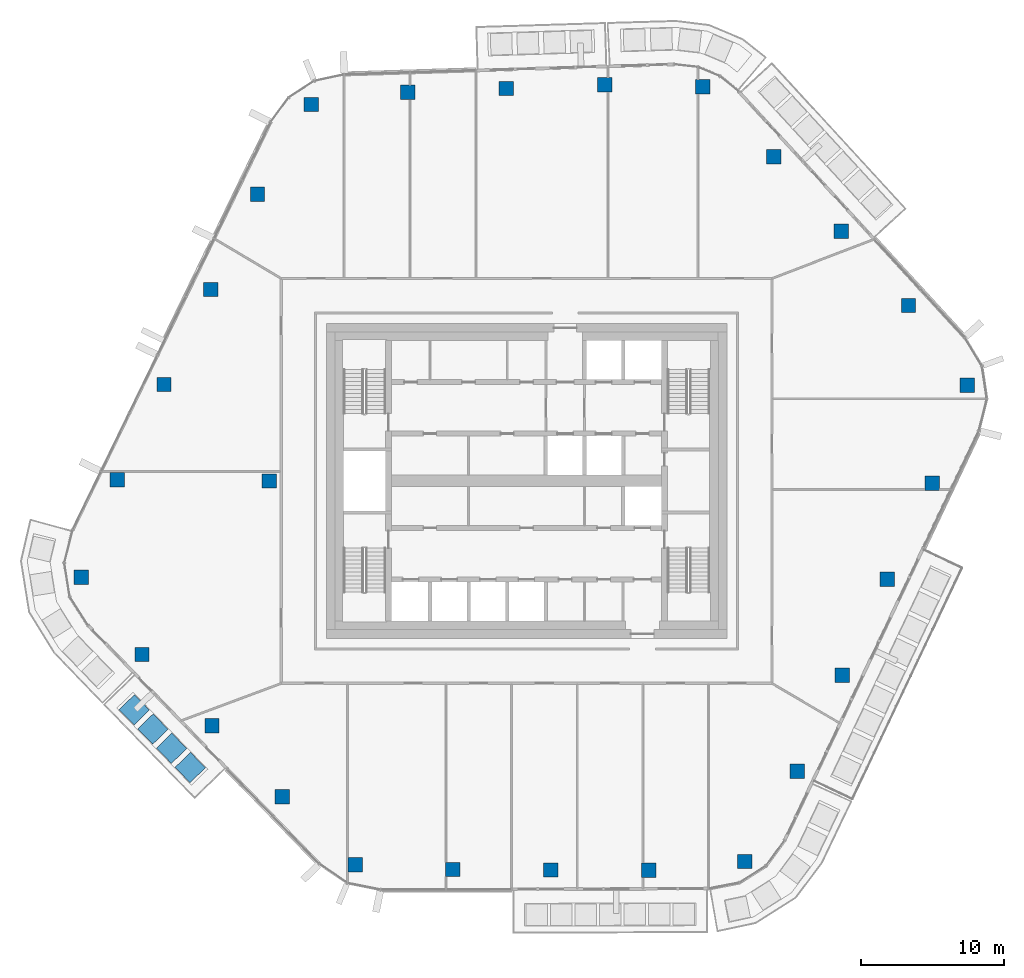
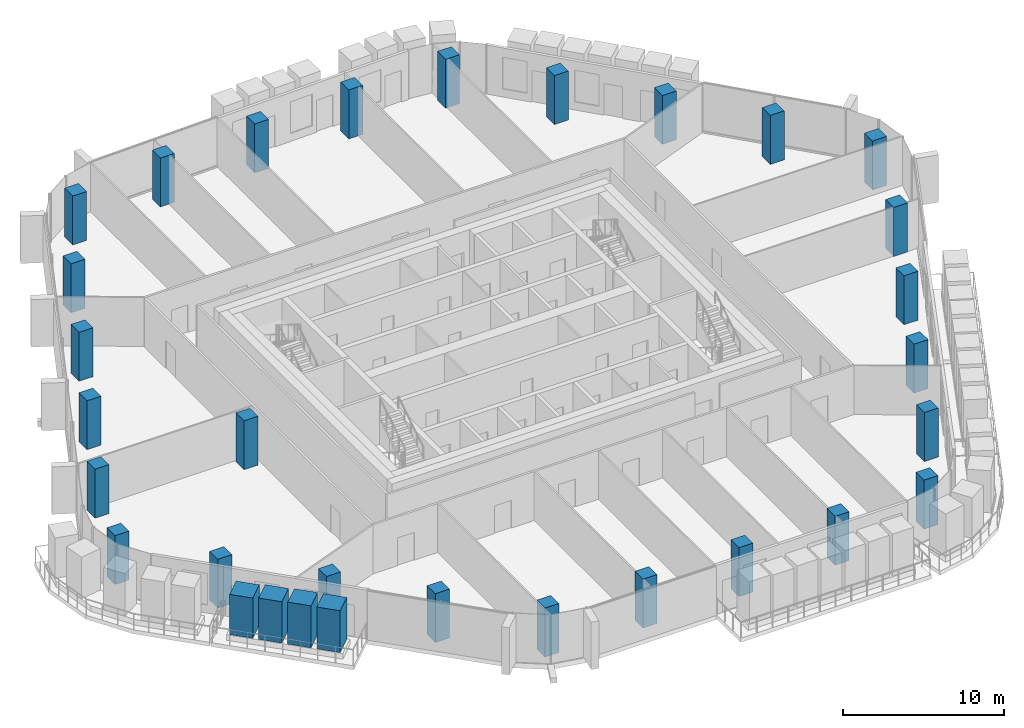
# One storey, part 1 of 24: 27 columns, 4 members.
"""IFC4 building model written with IfcOpenShell, lengths in metres."""

from ifc_helpers import new_model, si_unit, direction, frame, origin, origin_2d, place, context, subcontext, project, spatial, rectangle, extrude, material, material_profile, profile_set, type_object, element, save


model = new_model("IFC4")

# Units and contexts
model_context = context("Model", 3, precision=1e-05, world=origin(), true_north=direction((0.0, 1.0)))
body_context = subcontext(model_context, "Body", "Model", "MODEL_VIEW")
ifc_project = project(units=[si_unit("LENGTHUNIT", "METRE"), si_unit("AREAUNIT", "SQUARE_METRE"), si_unit("VOLUMEUNIT", "CUBIC_METRE"), si_unit("PLANEANGLEUNIT", "RADIAN"), si_unit("MASSUNIT", "GRAM", prefix="KILO")], contexts=[model_context])

# Site, building, storey
site_placement = place(None, origin())
site = spatial("IfcSite", under=ifc_project, at=site_placement, CompositionType="ELEMENT")
building_placement = place(site_placement, origin())
building = spatial("IfcBuilding", under=site, at=building_placement, Name="Dongbaek Canopy Tower", CompositionType="ELEMENT")
storey_placement = place(building_placement, frame((0.0, 0.0, 348.800048828125)))
storey = spatial("IfcBuildingStorey", under=building, at=storey_placement, Name="L75", CompositionType="ELEMENT", Elevation=348.800048828125)

# Columns
ifc_material_1 = material(Name="Concrete C60", Category="concrete")
ifc_material_profile_1 = material_profile(ifc_material_1, rectangle(XDim=1.0, YDim=1.0, at=origin_2d()), Name="RC COLUMN 1000x1000 C60")
ifc_profile_set_1 = profile_set([ifc_material_profile_1], Name="Concrete C60")
column_type = type_object("IfcColumnType", Name="RC COLUMN 1000x1000 C60", PredefinedType="COLUMN", material=ifc_profile_set_1)
for number, where, z_axis, x_axis, name in (
    (1, (15.251953125, -26.60693359375, 0.0), (0.0, 0.0, 1.0), (1.0, 0.0, 0.0), "COL:CZ5-01:L75"),
    (2, (8.533935546875, -27.22705078125, 0.0), (0.0, 0.0, 1.0), (1.0, 0.0, 0.0), "COL:CZ5-02:L75"),
    (3, (1.68310546875, -27.197021484375, 0.0), (0.0, 0.0, 1.0), (1.0, 0.0, 0.0), "COL:CZ5-03:L75"),
    (4, (-5.166015625, -27.1669921875, 0.0), (0.0, 0.0, 1.0), (1.0, 0.0, 0.0), "COL:CZ5-04:L75"),
    (5, (-11.985107421875, -26.8310546875, 0.0), (0.0, 0.0, 1.0), (1.0, 0.0, 0.0), "COL:CZ5-05:L75"),
    (6, (-17.083984375, -22.089111328125, 0.0), (0.0, 0.0, 1.0), (1.0, 0.0, 0.0), "COL:CZ5-06:L75"),
    (7, (-21.986083984375, -17.112060546875, 0.0), (0.0, 0.0, 1.0), (1.0, 0.0, 0.0), "COL:CZ5-07:L75"),
    (8, (-26.888916015625, -12.134033203125, 0.0), (0.0, 0.0, 1.0), (1.0, 0.0, 0.0), "COL:CZ5-08:L75"),
    (9, (-31.12890625, -6.7451171875, 0.0), (0.0, 0.0, 1.0), (1.0, 0.0, 0.0), "COL:CZ5-09:L75"),
    (10, (-28.616943359375, 0.0859375, 0.0), (0.0, 0.0, 1.0), (1.0, 0.0, 0.0), "COL:CZ5-10:L75"),
    (11, (-25.346923828125, 6.735107421875, 0.0), (0.0, 0.0, 1.0), (1.0, 0.0, 0.0), "COL:CZ5-11:L75"),
    (12, (-22.075927734375, 13.384033203125, 0.0), (0.0, 0.0, 1.0), (1.0, 0.0, 0.0), "COL:CZ5-12:L75"),
    (13, (-18.805908203125, 20.031982421875, 0.0), (0.0, 0.0, 1.0), (1.0, 0.0, 0.0), "COL:CZ5-13:L75"),
    (14, (-15.06201171875, 26.321044921875, 0.0), (0.0, 0.0, 1.0), (1.0, 0.0, 0.0), "COL:CZ5-14:L75"),
    (15, (-8.30908203125, 27.1640625, 0.0), (0.0, 0.0, 1.0), (1.0, 0.0, 0.0), "COL:CZ5-15:L75"),
    (16, (-1.41796875, 27.427978515625, 0.0), (0.0, 0.0, 1.0), (1.0, 0.0, 0.0), "COL:CZ5-16:L75"),
    (17, (5.470947265625, 27.69189453125, 0.0), (0.0, 0.0, 1.0), (1.0, 0.0, 0.0), "COL:CZ5-17:L75"),
    (18, (12.31396484375, 27.56298828125, 0.0), (0.0, 0.0, 1.0), (1.0, 0.0, 0.0), "COL:CZ5-18:L75"),
    (19, (17.27587890625, 22.666015625, 0.0), (0.0, 0.0, 1.0), (1.0, 0.0, 0.0), "COL:CZ5-19:L75"),
    (20, (21.989990234375, 17.4619140625, 0.0), (0.0, 0.0, 1.0), (1.0, 0.0, 0.0), "COL:CZ5-20:L75"),
    (21, (26.702880859375, 12.257080078125, 0.0), (0.0, 0.0, 1.0), (1.0, 0.0, 0.0), "COL:CZ5-21:L75"),
    (22, (30.804931640625, 6.697998046875, 0.0), (0.0, 0.0, 1.0), (1.0, 0.0, 0.0), "COL:CZ5-22:L75"),
    (23, (28.35107421875, -0.169921875, 0.0), (0.0, 0.0, 1.0), (1.0, 0.0, 0.0), "COL:CZ5-23:L75"),
    (24, (25.2099609375, -6.87890625, 0.0), (0.0, 0.0, 1.0), (1.0, 0.0, 0.0), "COL:CZ5-24:L75"),
    (25, (22.068115234375, -13.587890625, 0.0), (0.0, 0.0, 1.0), (1.0, 0.0, 0.0), "COL:CZ5-25:L75"),
    (26, (18.925048828125, -20.2958984375, 0.0), (0.0, 0.0, 1.0), (1.0, 0.0, 0.0), "COL:CZ5-26:L75"),
    (27, (-18.0, 0.0, 0.0), (0.0, 0.0, 1.0), (1.0, 0.0, 0.0), "COL:CIZ5-01:L75"),
):
    element("IfcColumn", number, at=place(storey_placement, frame(where, z_axis=z_axis, x_axis=x_axis)), inside=storey, type_object=column_type, Name=name, PredefinedType="COLUMN", context=body_context, shape_type="SweptSolid", body=[
        extrude(rectangle(XDim=1.0, YDim=1.0, at=origin_2d()), origin(), (0.0, 0.0, 1.0), 3.699951171875),
    ])

# Members
ifc_material_2 = material(Name="Concrete C40/50 planter mass with planting", Category="concrete")
ifc_material_profile_2 = material_profile(ifc_material_2, rectangle(XDim=1.5, YDim=1.5, at=origin_2d()), Name="Terrace PLANTER shrub mass 1500 x 1500")
ifc_profile_set_2 = profile_set([ifc_material_profile_2], Name="Concrete C40/50 planter mass with planting")
member_type = type_object("IfcMemberType", Name="Terrace PLANTER shrub mass 1500 x 1500", PredefinedType="USERDEFINED", material=ifc_profile_set_2)
member_1_placement = place(storey_placement, frame((-27.427001953125, -16.0029296875, 0.419921875), z_axis=(0.0, 0.0, 1.0), x_axis=(-0.717680445859, -0.696372585353, 0.0)))
element("IfcMember", 28, at=member_1_placement, inside=storey, type_object=member_type, Name="Planter shrubs L75 3.1", ObjectType="PLANTER", PredefinedType="USERDEFINED", context=body_context, shape_type="SweptSolid", body=[
    extrude(rectangle(XDim=1.5, YDim=1.5, at=origin_2d()), origin(), (0.0, 0.0, 1.0), 3.050048828125),
])
member_2_placement = place(storey_placement, frame((-26.121826171875, -17.347900390625, 0.419921875), z_axis=(0.0, 0.0, 1.0), x_axis=(-0.717680445859, -0.696372585353, 0.0)))
element("IfcMember", 29, at=member_2_placement, inside=storey, type_object=member_type, Name="Planter shrubs L75 3.2", ObjectType="PLANTER", PredefinedType="USERDEFINED", context=body_context, shape_type="SweptSolid", body=[
    extrude(rectangle(XDim=1.5, YDim=1.5, at=origin_2d()), origin(), (0.0, 0.0, 1.0), 3.130126953125),
])
member_3_placement = place(storey_placement, frame((-24.816650390625, -18.693115234375, 0.419921875), z_axis=(0.0, 0.0, 1.0), x_axis=(-0.717680445859, -0.696372585353, 0.0)))
element("IfcMember", 30, at=member_3_placement, inside=storey, type_object=member_type, Name="Planter shrubs L75 3.3", ObjectType="PLANTER", PredefinedType="USERDEFINED", context=body_context, shape_type="SweptSolid", body=[
    extrude(rectangle(XDim=1.5, YDim=1.5, at=origin_2d()), origin(), (0.0, 0.0, 1.0), 3.179931640625),
])
member_4_placement = place(storey_placement, frame((-23.511474609375, -20.0380859375, 0.419921875), z_axis=(0.0, 0.0, 1.0), x_axis=(-0.717680445859, -0.696372585353, 0.0)))
element("IfcMember", 31, at=member_4_placement, inside=storey, type_object=member_type, Name="Planter shrubs L75 3.4", ObjectType="PLANTER", PredefinedType="USERDEFINED", context=body_context, shape_type="SweptSolid", body=[
    extrude(rectangle(XDim=1.5, YDim=1.5, at=origin_2d()), origin(), (0.0, 0.0, 1.0), 3.169921875),
])

save(model, "model.ifc")
